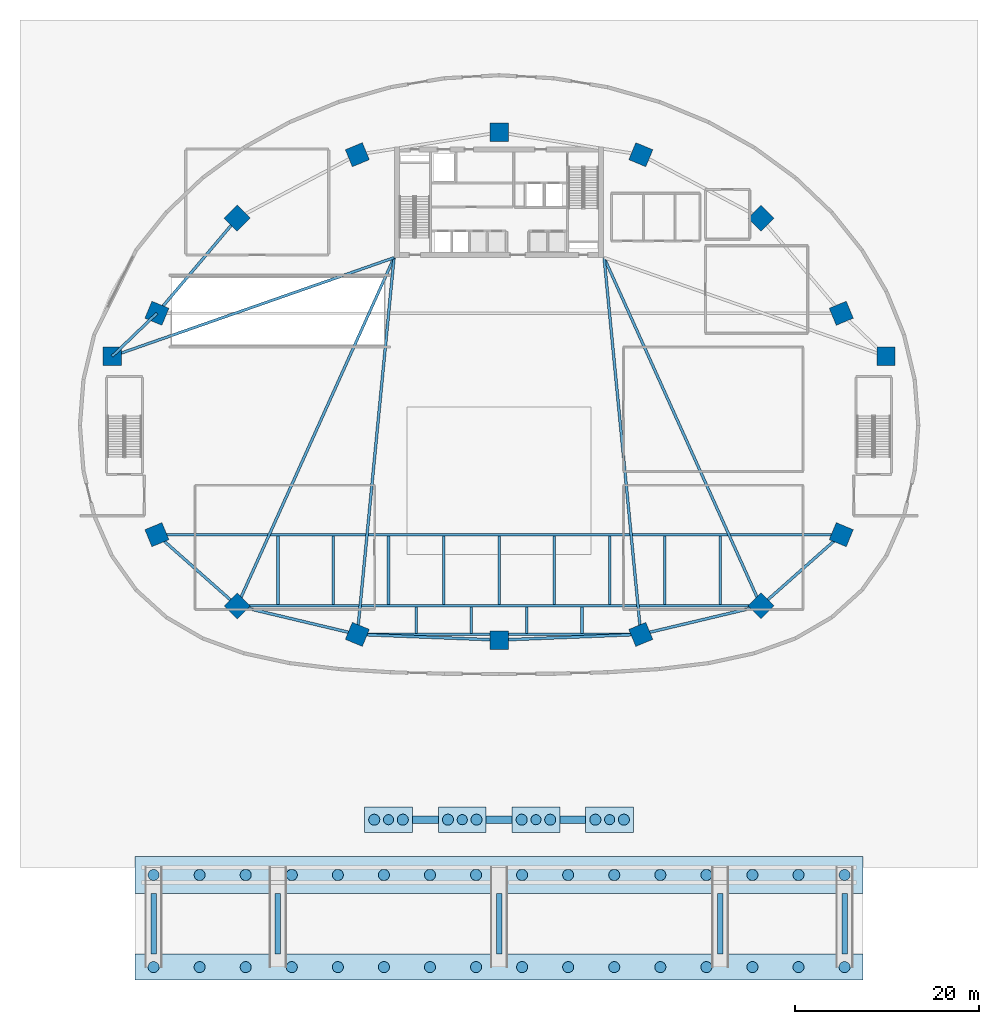
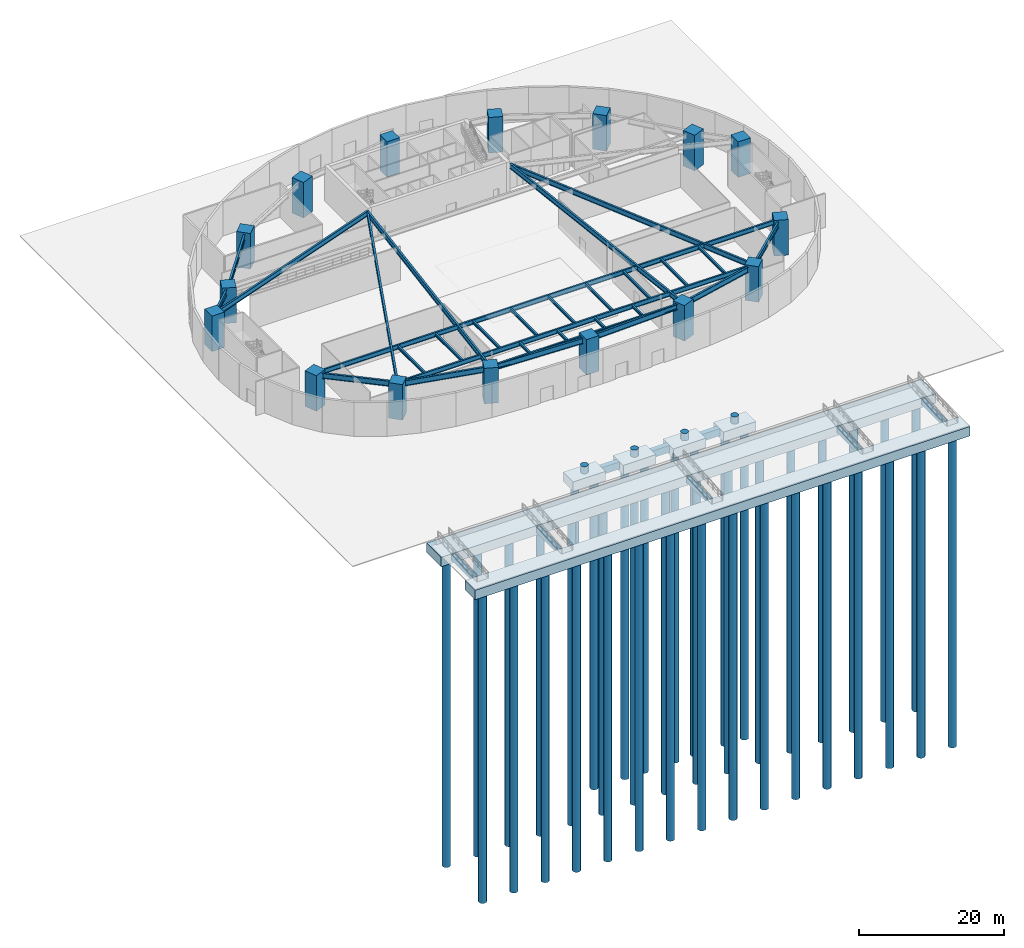
# One storey, part 1 of 14: 40 piles, 29 beams, 20 columns, 14 footings.
"""IFC4 building model written with IfcOpenShell, lengths in metres."""

from ifc_helpers import new_model, si_unit, direction, frame, origin, origin_2d, place, context, subcontext, project, spatial, polyline, rectangle, circle, i_section, outline, extrude, source, transform, mapped, material, layer, layer_set, material_profile, profile_set, type_object, type_shapes, element, save


model = new_model("IFC4")

# Units and contexts
model_context = context("Model", 3, precision=1e-05, world=origin(), true_north=direction((0.0, 1.0)))
body_context = subcontext(model_context, "Body", "Model", "MODEL_VIEW")
ifc_project = project(units=[si_unit("LENGTHUNIT", "METRE"), si_unit("AREAUNIT", "SQUARE_METRE"), si_unit("VOLUMEUNIT", "CUBIC_METRE"), si_unit("PLANEANGLEUNIT", "RADIAN"), si_unit("MASSUNIT", "GRAM", prefix="KILO")], contexts=[model_context])

# Site, building, storey
site_placement = place(None, origin())
site = spatial("IfcSite", under=ifc_project, at=site_placement, CompositionType="ELEMENT")
building_placement = place(site_placement, origin())
building = spatial("IfcBuilding", under=site, at=building_placement, Name="Breltana Convention Tower", CompositionType="ELEMENT")
storey_placement = place(building_placement, origin())
storey = spatial("IfcBuildingStorey", under=building, at=storey_placement, Name="L00", CompositionType="ELEMENT", Elevation=0.0)

# Footings
ifc_material_1 = material(Name="Concrete C50/60", Category="concrete")
ifc_layer = layer(ifc_material_1, 1.60009765625, Name="Concrete C50/60")
ifc_layer_set = layer_set([ifc_layer], Name="Concrete C50/60")
footing_type_1 = type_object("IfcFootingType", Name="FT-PC-2800", PredefinedType="PILE_CAP", material=ifc_layer_set)
footing_1_placement = place(storey_placement, frame((0.0, 0.0, -2.800048828125)))
element("IfcFooting", 1, at=footing_1_placement, inside=storey, type_object=footing_type_1, Name="Garden Court Colonnade Pile Cap 1", PredefinedType="PILE_CAP", context=body_context, shape_type="SweptSolid", body=[
    extrude(outline(polyline([(33.39990234375, -2.199951171875), (38.60009765625, -2.199951171875), (38.60009765625, 0.60009765625), (33.39990234375, 0.60009765625), (33.39990234375, -2.199951171875)])), origin(), (0.0, 0.0, 1.0), 1.60009765625),
])
footing_2_placement = place(storey_placement, frame((0.0, 0.0, -2.800048828125)))
element("IfcFooting", 2, at=footing_2_placement, inside=storey, type_object=footing_type_1, Name="Garden Court Colonnade Pile Cap 2", PredefinedType="PILE_CAP", context=body_context, shape_type="SweptSolid", body=[
    extrude(outline(polyline([(41.39990234375, -2.199951171875), (46.60009765625, -2.199951171875), (46.60009765625, 0.60009765625), (41.39990234375, 0.60009765625), (41.39990234375, -2.199951171875)])), origin(), (0.0, 0.0, 1.0), 1.60009765625),
])
footing_3_placement = place(storey_placement, frame((0.0, 0.0, -2.800048828125)))
element("IfcFooting", 3, at=footing_3_placement, inside=storey, type_object=footing_type_1, Name="Garden Court Colonnade Pile Cap 3", PredefinedType="PILE_CAP", context=body_context, shape_type="SweptSolid", body=[
    extrude(outline(polyline([(49.39990234375, -2.199951171875), (54.60009765625, -2.199951171875), (54.60009765625, 0.60009765625), (49.39990234375, 0.60009765625), (49.39990234375, -2.199951171875)])), origin(), (0.0, 0.0, 1.0), 1.60009765625),
])
footing_4_placement = place(storey_placement, frame((0.0, 0.0, -2.800048828125)))
element("IfcFooting", 4, at=footing_4_placement, inside=storey, type_object=footing_type_1, Name="Garden Court Colonnade Pile Cap 4", PredefinedType="PILE_CAP", context=body_context, shape_type="SweptSolid", body=[
    extrude(outline(polyline([(57.39990234375, -2.199951171875), (62.60009765625, -2.199951171875), (62.60009765625, 0.60009765625), (57.39990234375, 0.60009765625), (57.39990234375, -2.199951171875)])), origin(), (0.0, 0.0, 1.0), 1.60009765625),
])
footing_5_placement = place(storey_placement, frame((0.0, 0.0, -2.659912109375)))
element("IfcFooting", 5, at=footing_5_placement, inside=storey, type_object=footing_type_1, Name="L00 Accessible Ramp Lower Continuous Pile Cap", PredefinedType="PILE_CAP", context=body_context, shape_type="SweptSolid", body=[
    extrude(outline(polyline([(8.5, -18.199951171875), (87.5, -18.199951171875), (87.5, -15.39990234375), (8.5, -15.39990234375), (8.5, -18.199951171875)])), origin(), (0.0, 0.0, 1.0), 1.599853515625),
])
footing_6_placement = place(storey_placement, frame((0.0, 0.0, -2.800048828125)))
element("IfcFooting", 6, at=footing_6_placement, inside=storey, type_object=footing_type_1, Name="L00 Plaza Threshold Continuous Pile Cap", PredefinedType="PILE_CAP", context=body_context, shape_type="SweptSolid", body=[
    extrude(outline(polyline([(8.5, -8.800048828125), (87.5, -8.800048828125), (87.5, -4.800048828125), (8.5, -4.800048828125), (8.5, -8.800048828125)])), origin(), (0.0, 0.0, 1.0), 1.60009765625),
])

# Piles
ifc_material_2 = material(Name="Concrete C40/50", Category="concrete")
ifc_material_profile_1 = material_profile(ifc_material_2, circle(Radius=0.60009765625, at=origin_2d()), Name="BP-D1200")
ifc_profile_set_1 = profile_set([ifc_material_profile_1], Name="Concrete C40/50")
pile_type = type_object("IfcPileType", Name="PL-BP-1200", PredefinedType="BORED", material=ifc_profile_set_1)
shared_shape_1 = source(origin(), body_context, "Body", "SweptSolid", [
    extrude(circle(Radius=0.60009765625, at=origin_2d()), origin(), (0.0, 0.0, 1.0), 52.39990234375),
])
for number, where, z_axis, x_axis, name in (
    (7, (34.449951171875, -0.800048828125, -2.64990234375), (0.0, 0.0, -1.0), (1.0, 0.0, 0.0), "Colonnade Bored Pile 1A"),
    (8, (37.550048828125, -0.800048828125, -2.64990234375), (0.0, 0.0, -1.0), (1.0, 0.0, 0.0), "Colonnade Bored Pile 1B"),
    (9, (42.449951171875, -0.800048828125, -2.64990234375), (0.0, 0.0, -1.0), (1.0, 0.0, 0.0), "Colonnade Bored Pile 2A"),
    (10, (45.550048828125, -0.800048828125, -2.64990234375), (0.0, 0.0, -1.0), (1.0, 0.0, 0.0), "Colonnade Bored Pile 2B"),
    (11, (50.449951171875, -0.800048828125, -2.64990234375), (0.0, 0.0, -1.0), (1.0, 0.0, 0.0), "Colonnade Bored Pile 3A"),
    (12, (53.550048828125, -0.800048828125, -2.64990234375), (0.0, 0.0, -1.0), (1.0, 0.0, 0.0), "Colonnade Bored Pile 3B"),
    (13, (58.449951171875, -0.800048828125, -2.64990234375), (0.0, 0.0, -1.0), (1.0, 0.0, 0.0), "Colonnade Bored Pile 4A"),
    (14, (61.550048828125, -0.800048828125, -2.64990234375), (0.0, 0.0, -1.0), (1.0, 0.0, 0.0), "Colonnade Bored Pile 4B"),
    (15, (10.5, -6.800048828125, -2.64990234375), (0.0, 0.0, -1.0), (1.0, 0.0, 0.0), "Plaza Threshold Bored Pile 01"),
    (16, (15.5, -6.800048828125, -2.64990234375), (0.0, 0.0, -1.0), (1.0, 0.0, 0.0), "Plaza Threshold Bored Pile 02"),
    (17, (20.5, -6.800048828125, -2.64990234375), (0.0, 0.0, -1.0), (1.0, 0.0, 0.0), "Plaza Threshold Bored Pile 03"),
    (18, (25.5, -6.800048828125, -2.64990234375), (0.0, 0.0, -1.0), (1.0, 0.0, 0.0), "Plaza Threshold Bored Pile 04"),
    (19, (30.5, -6.800048828125, -2.64990234375), (0.0, 0.0, -1.0), (1.0, 0.0, 0.0), "Plaza Threshold Bored Pile 05"),
    (20, (35.5, -6.800048828125, -2.64990234375), (0.0, 0.0, -1.0), (1.0, 0.0, 0.0), "Plaza Threshold Bored Pile 06"),
    (21, (40.5, -6.800048828125, -2.64990234375), (0.0, 0.0, -1.0), (1.0, 0.0, 0.0), "Plaza Threshold Bored Pile 07"),
    (22, (45.5, -6.800048828125, -2.64990234375), (0.0, 0.0, -1.0), (1.0, 0.0, 0.0), "Plaza Threshold Bored Pile 08"),
    (23, (50.5, -6.800048828125, -2.64990234375), (0.0, 0.0, -1.0), (1.0, 0.0, 0.0), "Plaza Threshold Bored Pile 09"),
    (24, (55.5, -6.800048828125, -2.64990234375), (0.0, 0.0, -1.0), (1.0, 0.0, 0.0), "Plaza Threshold Bored Pile 10"),
    (25, (60.5, -6.800048828125, -2.64990234375), (0.0, 0.0, -1.0), (1.0, 0.0, 0.0), "Plaza Threshold Bored Pile 11"),
    (26, (65.5, -6.800048828125, -2.64990234375), (0.0, 0.0, -1.0), (1.0, 0.0, 0.0), "Plaza Threshold Bored Pile 12"),
    (27, (70.5, -6.800048828125, -2.64990234375), (0.0, 0.0, -1.0), (1.0, 0.0, 0.0), "Plaza Threshold Bored Pile 13"),
    (28, (75.5, -6.800048828125, -2.64990234375), (0.0, 0.0, -1.0), (1.0, 0.0, 0.0), "Plaza Threshold Bored Pile 14"),
    (29, (80.5, -6.800048828125, -2.64990234375), (0.0, 0.0, -1.0), (1.0, 0.0, 0.0), "Plaza Threshold Bored Pile 15"),
    (30, (85.5, -6.800048828125, -2.64990234375), (0.0, 0.0, -1.0), (1.0, 0.0, 0.0), "Plaza Threshold Bored Pile 16"),
):
    element("IfcPile", number, at=place(storey_placement, frame(where, z_axis=z_axis, x_axis=x_axis)), inside=storey, type_object=pile_type, Name=name, PredefinedType="BORED", context=body_context, shape_type="MappedRepresentation", body=[
        mapped(shared_shape_1, transform((0.0, 0.0, 0.0), scale=1.0)),
    ])

# Footings
ifc_material_profile_2 = material_profile(ifc_material_2, rectangle(XDim=0.800048828125, YDim=1.199951171875, at=origin_2d()), Name="RC-BM-800X1200")
ifc_profile_set_2 = profile_set([ifc_material_profile_2], Name="Concrete C40/50")
footing_type_2 = type_object("IfcFootingType", Name="FT-GB-800X1200", PredefinedType="FOOTING_BEAM", material=ifc_profile_set_2)
shared_shape_2 = source(origin(), body_context, "Body", "SweptSolid", [
    extrude(rectangle(XDim=0.800048828125, YDim=1.199951171875, at=origin_2d()), origin(), (0.0, 0.0, 1.0), 2.7998046875),
])
type_shapes(footing_type_2, [shared_shape_2])
for number, where, z_axis, x_axis, name in (
    (31, (38.60009765625, -0.800048828125, -1.800048828125), (1.0, 0.0, 0.0), (0.0, 1.0, 0.0), "Foundation Tie Beam GB-01"),
    (32, (46.60009765625, -0.800048828125, -1.800048828125), (1.0, 0.0, 0.0), (0.0, 1.0, 0.0), "Foundation Tie Beam GB-02"),
    (33, (54.60009765625, -0.800048828125, -1.800048828125), (1.0, 0.0, 0.0), (0.0, 1.0, 0.0), "Foundation Tie Beam GB-03"),
):
    element("IfcFooting", number, at=place(storey_placement, frame(where, z_axis=z_axis, x_axis=x_axis)), inside=storey, type_object=footing_type_2, Name=name, PredefinedType="FOOTING_BEAM", context=body_context, shape_type="MappedRepresentation", body=[
        mapped(shared_shape_2, transform((0.0, 0.0, 0.0), scale=1.0)),
    ])

# Piles
shared_shape_3 = source(origin(), body_context, "Body", "SweptSolid", [
    extrude(circle(Radius=0.60009765625, at=origin_2d()), origin(), (0.0, 0.0, 1.0), 52.5400390625),
])
for number, where, z_axis, x_axis, name in (
    (34, (10.5, -16.800048828125, -2.510009765625), (0.0, 0.0, -1.0), (1.0, 0.0, 0.0), "Accessible Ramp Lower Bored Pile 01"),
    (35, (15.5, -16.800048828125, -2.510009765625), (0.0, 0.0, -1.0), (1.0, 0.0, 0.0), "Accessible Ramp Lower Bored Pile 02"),
    (36, (20.5, -16.800048828125, -2.510009765625), (0.0, 0.0, -1.0), (1.0, 0.0, 0.0), "Accessible Ramp Lower Bored Pile 03"),
    (37, (25.5, -16.800048828125, -2.510009765625), (0.0, 0.0, -1.0), (1.0, 0.0, 0.0), "Accessible Ramp Lower Bored Pile 04"),
    (38, (30.5, -16.800048828125, -2.510009765625), (0.0, 0.0, -1.0), (1.0, 0.0, 0.0), "Accessible Ramp Lower Bored Pile 05"),
    (39, (35.5, -16.800048828125, -2.510009765625), (0.0, 0.0, -1.0), (1.0, 0.0, 0.0), "Accessible Ramp Lower Bored Pile 06"),
    (40, (40.5, -16.800048828125, -2.510009765625), (0.0, 0.0, -1.0), (1.0, 0.0, 0.0), "Accessible Ramp Lower Bored Pile 07"),
    (41, (45.5, -16.800048828125, -2.510009765625), (0.0, 0.0, -1.0), (1.0, 0.0, 0.0), "Accessible Ramp Lower Bored Pile 08"),
    (42, (50.5, -16.800048828125, -2.510009765625), (0.0, 0.0, -1.0), (1.0, 0.0, 0.0), "Accessible Ramp Lower Bored Pile 09"),
    (43, (55.5, -16.800048828125, -2.510009765625), (0.0, 0.0, -1.0), (1.0, 0.0, 0.0), "Accessible Ramp Lower Bored Pile 10"),
    (44, (60.5, -16.800048828125, -2.510009765625), (0.0, 0.0, -1.0), (1.0, 0.0, 0.0), "Accessible Ramp Lower Bored Pile 11"),
    (45, (65.5, -16.800048828125, -2.510009765625), (0.0, 0.0, -1.0), (1.0, 0.0, 0.0), "Accessible Ramp Lower Bored Pile 12"),
    (46, (70.5, -16.800048828125, -2.510009765625), (0.0, 0.0, -1.0), (1.0, 0.0, 0.0), "Accessible Ramp Lower Bored Pile 13"),
    (47, (75.5, -16.800048828125, -2.510009765625), (0.0, 0.0, -1.0), (1.0, 0.0, 0.0), "Accessible Ramp Lower Bored Pile 14"),
    (48, (80.5, -16.800048828125, -2.510009765625), (0.0, 0.0, -1.0), (1.0, 0.0, 0.0), "Accessible Ramp Lower Bored Pile 15"),
    (49, (85.5, -16.800048828125, -2.510009765625), (0.0, 0.0, -1.0), (1.0, 0.0, 0.0), "Accessible Ramp Lower Bored Pile 16"),
):
    element("IfcPile", number, at=place(storey_placement, frame(where, z_axis=z_axis, x_axis=x_axis)), inside=storey, type_object=pile_type, Name=name, PredefinedType="BORED", context=body_context, shape_type="MappedRepresentation", body=[
        mapped(shared_shape_3, transform((0.0, 0.0, 0.0), scale=1.0)),
    ])

# Footings
ifc_material_profile_3 = material_profile(ifc_material_2, rectangle(XDim=0.60009765625, YDim=0.89990234375, at=origin_2d()), Name="RC-BM-600X900")
ifc_profile_set_3 = profile_set([ifc_material_profile_3], Name="Concrete C40/50")
footing_type_3 = type_object("IfcFootingType", Name="FT-GB-600X900", PredefinedType="FOOTING_BEAM", material=ifc_profile_set_3)
shared_shape_4 = source(origin(), body_context, "Body", "SweptSolid", [
    extrude(rectangle(XDim=0.60009765625, YDim=0.89990234375, at=origin_2d()), origin(), (0.0, 0.0, 1.0), 6.599853515625),
])
type_shapes(footing_type_3, [shared_shape_4])
for number, where, z_axis, x_axis, name in (
    (50, (10.5, -15.39990234375, -1.85009765625), (0.0, 1.0, 0.0), (-1.0, 0.0, 0.0), "Apron N-S Foundation Tie Beam 1"),
    (51, (24.0, -15.39990234375, -1.85009765625), (0.0, 1.0, 0.0), (-1.0, 0.0, 0.0), "Apron N-S Foundation Tie Beam 2"),
    (52, (48.0, -15.39990234375, -1.85009765625), (0.0, 1.0, 0.0), (-1.0, 0.0, 0.0), "Apron N-S Foundation Tie Beam 3"),
    (53, (72.0, -15.39990234375, -1.85009765625), (0.0, 1.0, 0.0), (-1.0, 0.0, 0.0), "Apron N-S Foundation Tie Beam 4"),
    (54, (85.5, -15.39990234375, -1.85009765625), (0.0, 1.0, 0.0), (-1.0, 0.0, 0.0), "Apron N-S Foundation Tie Beam 5"),
):
    element("IfcFooting", number, at=place(storey_placement, frame(where, z_axis=z_axis, x_axis=x_axis)), inside=storey, type_object=footing_type_3, Name=name, PredefinedType="FOOTING_BEAM", context=body_context, shape_type="MappedRepresentation", body=[
        mapped(shared_shape_4, transform((0.0, 0.0, 0.0), scale=1.0)),
    ])

# Columns
ifc_material_profile_4 = material_profile(ifc_material_1, circle(Radius=0.550048828125, at=origin_2d()), Name="RC-COL-D1100")
ifc_profile_set_4 = profile_set([ifc_material_profile_4], Name="Concrete C50/60")
column_type_1 = type_object("IfcColumnType", Name="COL-RC-D1100", PredefinedType="COLUMN", material=ifc_profile_set_4)
shared_shape_5 = source(origin(), body_context, "Body", "SweptSolid", [
    extrude(circle(Radius=0.550048828125, at=origin_2d()), origin(), (0.0, 0.0, 1.0), 1.199951171875),
])
type_shapes(column_type_1, [shared_shape_5])
for number, where, z_axis, x_axis, name in (
    (55, (36.0, -0.800048828125, -1.199951171875), (0.0, 0.0, 1.0), (1.0, 0.0, 0.0), "Garden Court Colonnade Pier CP-01"),
    (56, (44.0, -0.800048828125, -1.199951171875), (0.0, 0.0, 1.0), (1.0, 0.0, 0.0), "Garden Court Colonnade Pier CP-02"),
    (57, (52.0, -0.800048828125, -1.199951171875), (0.0, 0.0, 1.0), (1.0, 0.0, 0.0), "Garden Court Colonnade Pier CP-03"),
    (58, (60.0, -0.800048828125, -1.199951171875), (0.0, 0.0, 1.0), (1.0, 0.0, 0.0), "Garden Court Colonnade Pier CP-04"),
):
    element("IfcColumn", number, at=place(storey_placement, frame(where, z_axis=z_axis, x_axis=x_axis)), inside=storey, type_object=column_type_1, Name=name, PredefinedType="COLUMN", context=body_context, shape_type="MappedRepresentation", body=[
        mapped(shared_shape_5, transform((0.0, 0.0, 0.0), scale=1.0)),
    ])
ifc_material_3 = material(Name="Concrete C60/75", Category="concrete")
ifc_material_profile_5 = material_profile(ifc_material_3, rectangle(XDim=2.0, YDim=2.0, at=origin_2d()), Name="RC-COL-2000X2000")
ifc_profile_set_5 = profile_set([ifc_material_profile_5], Name="Concrete C60/75")
column_type_2 = type_object("IfcColumnType", Name="COL-MC-2000", PredefinedType="COLUMN", material=ifc_profile_set_5)
shared_shape_6 = source(origin(), body_context, "Body", "SweptSolid", [
    extrude(rectangle(XDim=2.0, YDim=2.0, at=origin_2d()), origin(), (0.0, 0.0, 1.0), 6.0),
])
for number, where, z_axis, x_axis, name in (
    (59, (90.0, 49.5, 0.0), (0.0, 0.0, 1.0), (1.0, 0.0, 0.0), "L00 Podium Mega-Column MC-01"),
    (60, (85.139892578125, 54.169189453125, 0.0), (0.0, 0.0, 1.0), (0.923879532511, 0.382683432365, 0.0), "L00 Podium Mega-Column MC-02"),
    (61, (76.42578125, 64.486083984375, 0.0), (0.0, 0.0, 1.0), (0.707106781187, 0.707106781187, 0.0), "L00 Podium Mega-Column MC-03"),
    (62, (63.3837890625, 71.37939453125, 0.0), (0.0, 0.0, 1.0), (0.382683432365, 0.923879532511, 0.0), "L00 Podium Mega-Column MC-04"),
    (63, (48.0, 73.800048828125, 0.0), (0.0, 0.0, 1.0), (0.0, 1.0, 0.0), "L00 Podium Mega-Column MC-05"),
    (64, (32.6162109375, 71.37939453125, 0.0), (0.0, 0.0, 1.0), (-0.382683432365, 0.923879532511, 0.0), "L00 Podium Mega-Column MC-06"),
    (65, (19.57421875, 64.486083984375, 0.0), (0.0, 0.0, 1.0), (-0.707106781187, 0.707106781187, 0.0), "L00 Podium Mega-Column MC-07"),
    (66, (10.860107421875, 54.169189453125, 0.0), (0.0, 0.0, 1.0), (-0.923879532511, 0.382683432365, 0.0), "L00 Podium Mega-Column MC-08"),
    (67, (6.0, 49.5, 0.0), (0.0, 0.0, 1.0), (-1.0, 0.0, 0.0), "L00 Podium Mega-Column MC-09"),
    (68, (10.860107421875, 30.136962890625, 0.0), (0.0, 0.0, 1.0), (-0.923879532511, -0.382683432365, 0.0), "L00 Podium Mega-Column MC-10"),
    (69, (19.57421875, 22.412109375, 0.0), (0.0, 0.0, 1.0), (-0.707106781187, -0.707106781187, 0.0), "L00 Podium Mega-Column MC-11"),
    (70, (32.6162109375, 19.3125, 0.0), (0.0, 0.0, 1.0), (-0.382683432365, -0.923879532511, 0.0), "L00 Podium Mega-Column MC-12"),
    (71, (48.0, 18.699951171875, 0.0), (0.0, 0.0, 1.0), (0.0, -1.0, 0.0), "L00 Podium Mega-Column MC-13"),
    (72, (63.3837890625, 19.3125, 0.0), (0.0, 0.0, 1.0), (0.382683432365, -0.923879532511, 0.0), "L00 Podium Mega-Column MC-14"),
    (73, (76.42578125, 22.412109375, 0.0), (0.0, 0.0, 1.0), (0.707106781187, -0.707106781187, 0.0), "L00 Podium Mega-Column MC-15"),
    (74, (85.139892578125, 30.136962890625, 0.0), (0.0, 0.0, 1.0), (0.923879532511, -0.382683432365, 0.0), "L00 Podium Mega-Column MC-16"),
):
    element("IfcColumn", number, at=place(storey_placement, frame(where, z_axis=z_axis, x_axis=x_axis)), inside=storey, type_object=column_type_2, Name=name, PredefinedType="COLUMN", context=body_context, shape_type="MappedRepresentation", body=[
        mapped(shared_shape_6, transform((0.0, 0.0, 0.0), scale=1.0)),
    ])

# Beams
ifc_material_4 = material(Name="Steel ASTM A992 Grade 50", Category="steel")
ifc_material_profile_6 = material_profile(ifc_material_4, i_section(OverallWidth=0.304931640625, OverallDepth=0.9189453125, WebThickness=0.017333984375, FlangeThickness=0.02783203125, at=origin_2d()), Name="W36X170")
ifc_profile_set_6 = profile_set([ifc_material_profile_6], Name="Steel ASTM A992 Grade 50")
beam_type_1 = type_object("IfcBeamType", Name="BM-PD-W36X170", PredefinedType="USERDEFINED", material=ifc_profile_set_6)
shared_shape_7 = source(origin(), body_context, "Body", "SweptSolid", [
    extrude(i_section(OverallWidth=0.304931640625, OverallDepth=0.9189453125, WebThickness=0.017333984375, FlangeThickness=0.02783203125, at=origin_2d()), origin(), (0.0, 0.0, 1.0), 6.739501953125),
])
type_shapes(beam_type_1, [shared_shape_7])
beam_1_placement = place(storey_placement, frame((10.860107421875, 54.169189453125, 5.240478515625), z_axis=(-0.721128840463, -0.692800978242, 0.0), x_axis=(0.692800978242, -0.721128840463, 0.0)))
element("IfcBeam", 75, at=beam_1_placement, inside=storey, type_object=beam_type_1, Name="L00 Podium Ring Girder 08", ObjectType="GIRDER", PredefinedType="USERDEFINED", context=body_context, shape_type="MappedRepresentation", body=[
    mapped(shared_shape_7, transform((0.0, 0.0, 0.0), scale=1.0)),
])
shared_shape_8 = source(origin(), body_context, "Body", "SweptSolid", [
    extrude(i_section(OverallWidth=0.304931640625, OverallDepth=0.9189453125, WebThickness=0.017333984375, FlangeThickness=0.02783203125, at=origin_2d()), origin(), (0.0, 0.0, 1.0), 13.504638671875),
])
beam_2_placement = place(storey_placement, frame((19.57421875, 64.486083984375, 5.240478515625), z_axis=(-0.645270162831, -0.763954460004, 0.0), x_axis=(0.763954460004, -0.645270162831, 0.0)))
element("IfcBeam", 76, at=beam_2_placement, inside=storey, type_object=beam_type_1, Name="L00 Podium Ring Girder 07", ObjectType="GIRDER", PredefinedType="USERDEFINED", context=body_context, shape_type="MappedRepresentation", body=[
    mapped(shared_shape_8, transform((0.0, 0.0, 0.0), scale=1.0)),
])
shared_shape_9 = source(origin(), body_context, "Body", "SweptSolid", [
    extrude(i_section(OverallWidth=0.304931640625, OverallDepth=0.9189453125, WebThickness=0.017333984375, FlangeThickness=0.02783203125, at=origin_2d()), origin(), (0.0, 0.0, 1.0), 11.64501953125),
])
for number, where, z_axis, x_axis, name in (
    (77, (10.860107421875, 30.136962890625, 5.240478515625), (0.748305074373, -0.663354743458, 0.0), (0.663354743458, 0.748305074373, 0.0), "L00 Podium Ring Girder 10"),
    (78, (76.42578125, 22.412109375, 5.240478515625), (0.748305074373, 0.663354743458, 0.0), (-0.663354743458, 0.748305074373, 0.0), "L00 Podium Ring Girder 15"),
):
    element("IfcBeam", number, at=place(storey_placement, frame(where, z_axis=z_axis, x_axis=x_axis)), inside=storey, type_object=beam_type_1, Name=name, ObjectType="GIRDER", PredefinedType="USERDEFINED", context=body_context, shape_type="MappedRepresentation", body=[
        mapped(shared_shape_9, transform((0.0, 0.0, 0.0), scale=1.0)),
    ])
shared_shape_10 = source(origin(), body_context, "Body", "SweptSolid", [
    extrude(i_section(OverallWidth=0.304931640625, OverallDepth=0.9189453125, WebThickness=0.017333984375, FlangeThickness=0.02783203125, at=origin_2d()), origin(), (0.0, 0.0, 1.0), 13.4052734375),
])
for number, where, z_axis, x_axis, name in (
    (79, (19.57421875, 22.412109375, 5.240478515625), (0.972900712446, -0.231223276773, 0.0), (0.231223276773, 0.972900712446, 0.0), "L00 Podium Ring Girder 11"),
    (80, (63.3837890625, 19.3125, 5.240478515625), (0.972900712446, 0.231223276773, 0.0), (-0.231223276773, 0.972900712446, 0.0), "L00 Podium Ring Girder 14"),
):
    element("IfcBeam", number, at=place(storey_placement, frame(where, z_axis=z_axis, x_axis=x_axis)), inside=storey, type_object=beam_type_1, Name=name, ObjectType="GIRDER", PredefinedType="USERDEFINED", context=body_context, shape_type="MappedRepresentation", body=[
        mapped(shared_shape_10, transform((0.0, 0.0, 0.0), scale=1.0)),
    ])
shared_shape_11 = source(origin(), body_context, "Body", "SweptSolid", [
    extrude(i_section(OverallWidth=0.304931640625, OverallDepth=0.9189453125, WebThickness=0.017333984375, FlangeThickness=0.02783203125, at=origin_2d()), origin(), (0.0, 0.0, 1.0), 15.39599609375),
])
for number, where, z_axis, x_axis, name in (
    (81, (32.6162109375, 19.3125, 5.240478515625), (0.99920821229, -0.039786285226, 0.0), (0.039786285226, 0.99920821229, 0.0), "L00 Podium Ring Girder 12"),
    (82, (48.0, 18.699951171875, 5.240478515625), (0.99920821229, 0.039786285226, 0.0), (-0.039786285226, 0.99920821229, 0.0), "L00 Podium Ring Girder 13"),
):
    element("IfcBeam", number, at=place(storey_placement, frame(where, z_axis=z_axis, x_axis=x_axis)), inside=storey, type_object=beam_type_1, Name=name, ObjectType="GIRDER", PredefinedType="USERDEFINED", context=body_context, shape_type="MappedRepresentation", body=[
        mapped(shared_shape_11, transform((0.0, 0.0, 0.0), scale=1.0)),
    ])
ifc_material_profile_7 = material_profile(ifc_material_4, i_section(OverallWidth=0.2919921875, OverallDepth=0.845947265625, WebThickness=0.015380859375, FlangeThickness=0.0244140625, at=origin_2d()), Name="W33X141")
ifc_profile_set_7 = profile_set([ifc_material_profile_7], Name="Steel ASTM A992 Grade 50")
beam_type_2 = type_object("IfcBeamType", Name="BM-PD-W33X141", PredefinedType="USERDEFINED", material=ifc_profile_set_7)
shared_shape_12 = source(origin(), body_context, "Body", "SweptSolid", [
    extrude(i_section(OverallWidth=0.2919921875, OverallDepth=0.845947265625, WebThickness=0.015380859375, FlangeThickness=0.0244140625, at=origin_2d()), origin(), (0.0, 0.0, 1.0), 32.4169921875),
])
type_shapes(beam_type_2, [shared_shape_12])
beam_3_placement = place(storey_placement, frame((6.0, 49.5, 5.277099609375), z_axis=(0.943955299763, 0.330073313143, 0.0), x_axis=(-0.330073313143, 0.943955299763, 0.0)))
element("IfcBeam", 83, at=beam_3_placement, inside=storey, type_object=beam_type_2, Name="L00 Long-Span Convention Girder 09", ObjectType="GIRDER", PredefinedType="USERDEFINED", context=body_context, shape_type="MappedRepresentation", body=[
    mapped(shared_shape_12, transform((0.0, 0.0, 0.0), scale=1.0)),
])
shared_shape_13 = source(origin(), body_context, "Body", "SweptSolid", [
    extrude(i_section(OverallWidth=0.2919921875, OverallDepth=0.845947265625, WebThickness=0.015380859375, FlangeThickness=0.0244140625, at=origin_2d()), origin(), (0.0, 0.0, 1.0), 41.4462890625),
])
for number, where, z_axis, x_axis, name in (
    (84, (19.57421875, 22.412109375, 5.277099609375), (0.410793011164, 0.911728633958, 0.0), (-0.911728633958, 0.410793011164, 0.0), "L00 Long-Span Convention Girder 11"),
    (85, (76.42578125, 22.412109375, 5.277099609375), (-0.410793011164, 0.911728633958, 0.0), (-0.911728633958, -0.410793011164, 0.0), "L00 Long-Span Convention Girder 15"),
):
    element("IfcBeam", number, at=place(storey_placement, frame(where, z_axis=z_axis, x_axis=x_axis)), inside=storey, type_object=beam_type_2, Name=name, ObjectType="GIRDER", PredefinedType="USERDEFINED", context=body_context, shape_type="MappedRepresentation", body=[
        mapped(shared_shape_13, transform((0.0, 0.0, 0.0), scale=1.0)),
    ])
shared_shape_14 = source(origin(), body_context, "Body", "SweptSolid", [
    extrude(i_section(OverallWidth=0.2919921875, OverallDepth=0.845947265625, WebThickness=0.015380859375, FlangeThickness=0.0244140625, at=origin_2d()), origin(), (0.0, 0.0, 1.0), 41.0810546875),
])
for number, where, z_axis, x_axis, name in (
    (86, (32.6162109375, 19.3125, 5.277099609375), (0.096976195785, 0.995286701132, 0.0), (-0.995286701132, 0.096976195785, 0.0), "L00 Long-Span Convention Girder 12"),
    (87, (63.3837890625, 19.3125, 5.277099609375), (-0.096976195785, 0.995286701132, 0.0), (-0.995286701132, -0.096976195785, 0.0), "L00 Long-Span Convention Girder 14"),
):
    element("IfcBeam", number, at=place(storey_placement, frame(where, z_axis=z_axis, x_axis=x_axis)), inside=storey, type_object=beam_type_2, Name=name, ObjectType="GIRDER", PredefinedType="USERDEFINED", context=body_context, shape_type="MappedRepresentation", body=[
        mapped(shared_shape_14, transform((0.0, 0.0, 0.0), scale=1.0)),
    ])
ifc_material_profile_8 = material_profile(ifc_material_4, i_section(OverallWidth=0.26708984375, OverallDepth=0.761962890625, WebThickness=0.014404296875, FlangeThickness=0.021484375, at=origin_2d()), Name="W30X116")
ifc_profile_set_8 = profile_set([ifc_material_profile_8], Name="Steel ASTM A992 Grade 50")
beam_type_3 = type_object("IfcBeamType", Name="BM-PD-W30X116", PredefinedType="BEAM", material=ifc_profile_set_8)
shared_shape_15 = source(origin(), body_context, "Body", "SweptSolid", [
    extrude(i_section(OverallWidth=0.26708984375, OverallDepth=0.761962890625, WebThickness=0.014404296875, FlangeThickness=0.021484375, at=origin_2d()), origin(), (0.0, 0.0, 1.0), 74.27978515625),
])
type_shapes(beam_type_3, [shared_shape_15])
beam_4_placement = place(storey_placement, frame((10.860107421875, 30.136962890625, 5.319091796875), z_axis=(1.0, 0.0, 0.0), x_axis=(0.0, 1.0, 0.0)))
element("IfcBeam", 88, at=beam_4_placement, inside=storey, type_object=beam_type_3, Name="L00 Long-Span Hall Secondary Beam 01", PredefinedType="BEAM", context=body_context, shape_type="MappedRepresentation", body=[
    mapped(shared_shape_15, transform((0.0, 0.0, 0.0), scale=1.0)),
])
shared_shape_16 = source(origin(), body_context, "Body", "SweptSolid", [
    extrude(i_section(OverallWidth=0.26708984375, OverallDepth=0.761962890625, WebThickness=0.014404296875, FlangeThickness=0.021484375, at=origin_2d()), origin(), (0.0, 0.0, 1.0), 56.8515625),
])
beam_5_placement = place(storey_placement, frame((19.57421875, 22.412109375, 5.319091796875), z_axis=(1.0, 0.0, 0.0), x_axis=(0.0, 1.0, 0.0)))
element("IfcBeam", 89, at=beam_5_placement, inside=storey, type_object=beam_type_3, Name="L00 Long-Span Hall Secondary Beam 02", PredefinedType="BEAM", context=body_context, shape_type="MappedRepresentation", body=[
    mapped(shared_shape_16, transform((0.0, 0.0, 0.0), scale=1.0)),
])
shared_shape_17 = source(origin(), body_context, "Body", "SweptSolid", [
    extrude(i_section(OverallWidth=0.26708984375, OverallDepth=0.761962890625, WebThickness=0.014404296875, FlangeThickness=0.021484375, at=origin_2d()), origin(), (0.0, 0.0, 1.0), 30.767578125),
])
beam_6_placement = place(storey_placement, frame((32.6162109375, 19.3125, 5.319091796875), z_axis=(1.0, 0.0, 0.0), x_axis=(0.0, 1.0, 0.0)))
element("IfcBeam", 90, at=beam_6_placement, inside=storey, type_object=beam_type_3, Name="L00 Long-Span Hall Secondary Beam 03", PredefinedType="BEAM", context=body_context, shape_type="MappedRepresentation", body=[
    mapped(shared_shape_17, transform((0.0, 0.0, 0.0), scale=1.0)),
])
ifc_material_profile_9 = material_profile(ifc_material_4, i_section(OverallWidth=0.280029296875, OverallDepth=0.462890625, WebThickness=0.0107421875, FlangeThickness=0.017333984375, at=origin_2d()), Name="W18X76")
ifc_profile_set_9 = profile_set([ifc_material_profile_9], Name="Steel ASTM A992 Grade 50")
beam_type_4 = type_object("IfcBeamType", Name="BM-JS-W18X76", PredefinedType="JOIST", material=ifc_profile_set_9)
shared_shape_18 = source(origin(), body_context, "Body", "SweptSolid", [
    extrude(i_section(OverallWidth=0.280029296875, OverallDepth=0.462890625, WebThickness=0.0107421875, FlangeThickness=0.017333984375, at=origin_2d()), origin(), (0.0, 0.0, 1.0), 7.48486328125),
])
type_shapes(beam_type_4, [shared_shape_18])
for number, where, z_axis, x_axis, name in (
    (91, (24.0, 22.531982421875, 5.468505859375), (0.0, 1.0, 0.0), (-1.0, 0.0, 0.0), "L00 Hall Span Joist 1.24"),
    (92, (30.0, 22.531982421875, 5.468505859375), (0.0, 1.0, 0.0), (-1.0, 0.0, 0.0), "L00 Hall Span Joist 1.30"),
    (93, (36.0, 22.531982421875, 5.468505859375), (0.0, 1.0, 0.0), (-1.0, 0.0, 0.0), "L00 Hall Span Joist 1.36"),
    (94, (42.0, 22.531982421875, 5.468505859375), (0.0, 1.0, 0.0), (-1.0, 0.0, 0.0), "L00 Hall Span Joist 1.42"),
    (95, (48.0, 22.531982421875, 5.468505859375), (0.0, 1.0, 0.0), (-1.0, 0.0, 0.0), "L00 Hall Span Joist 1.48"),
    (96, (54.0, 22.531982421875, 5.468505859375), (0.0, 1.0, 0.0), (-1.0, 0.0, 0.0), "L00 Hall Span Joist 1.54"),
    (97, (60.0, 22.531982421875, 5.468505859375), (0.0, 1.0, 0.0), (-1.0, 0.0, 0.0), "L00 Hall Span Joist 1.60"),
    (98, (66.0, 22.531982421875, 5.468505859375), (0.0, 1.0, 0.0), (-1.0, 0.0, 0.0), "L00 Hall Span Joist 1.66"),
    (99, (72.0, 22.531982421875, 5.468505859375), (0.0, 1.0, 0.0), (-1.0, 0.0, 0.0), "L00 Hall Span Joist 1.72"),
):
    element("IfcBeam", number, at=place(storey_placement, frame(where, z_axis=z_axis, x_axis=x_axis)), inside=storey, type_object=beam_type_4, Name=name, PredefinedType="JOIST", context=body_context, shape_type="MappedRepresentation", body=[
        mapped(shared_shape_18, transform((0.0, 0.0, 0.0), scale=1.0)),
    ])
shared_shape_19 = source(origin(), body_context, "Body", "SweptSolid", [
    extrude(i_section(OverallWidth=0.280029296875, OverallDepth=0.462890625, WebThickness=0.0107421875, FlangeThickness=0.017333984375, at=origin_2d()), origin(), (0.0, 0.0, 1.0), 2.859375),
])
for number, where, z_axis, x_axis, name in (
    (100, (39.0, 19.4326171875, 5.468505859375), (0.0, 1.0, 0.0), (-1.0, 0.0, 0.0), "L00 Hall Span Joist 2.39"),
    (101, (45.0, 19.4326171875, 5.468505859375), (0.0, 1.0, 0.0), (-1.0, 0.0, 0.0), "L00 Hall Span Joist 2.45"),
    (102, (51.0, 19.4326171875, 5.468505859375), (0.0, 1.0, 0.0), (-1.0, 0.0, 0.0), "L00 Hall Span Joist 2.51"),
    (103, (57.0, 19.4326171875, 5.468505859375), (0.0, 1.0, 0.0), (-1.0, 0.0, 0.0), "L00 Hall Span Joist 2.57"),
):
    element("IfcBeam", number, at=place(storey_placement, frame(where, z_axis=z_axis, x_axis=x_axis)), inside=storey, type_object=beam_type_4, Name=name, PredefinedType="JOIST", context=body_context, shape_type="MappedRepresentation", body=[
        mapped(shared_shape_19, transform((0.0, 0.0, 0.0), scale=1.0)),
    ])

save(model, "model.ifc")
